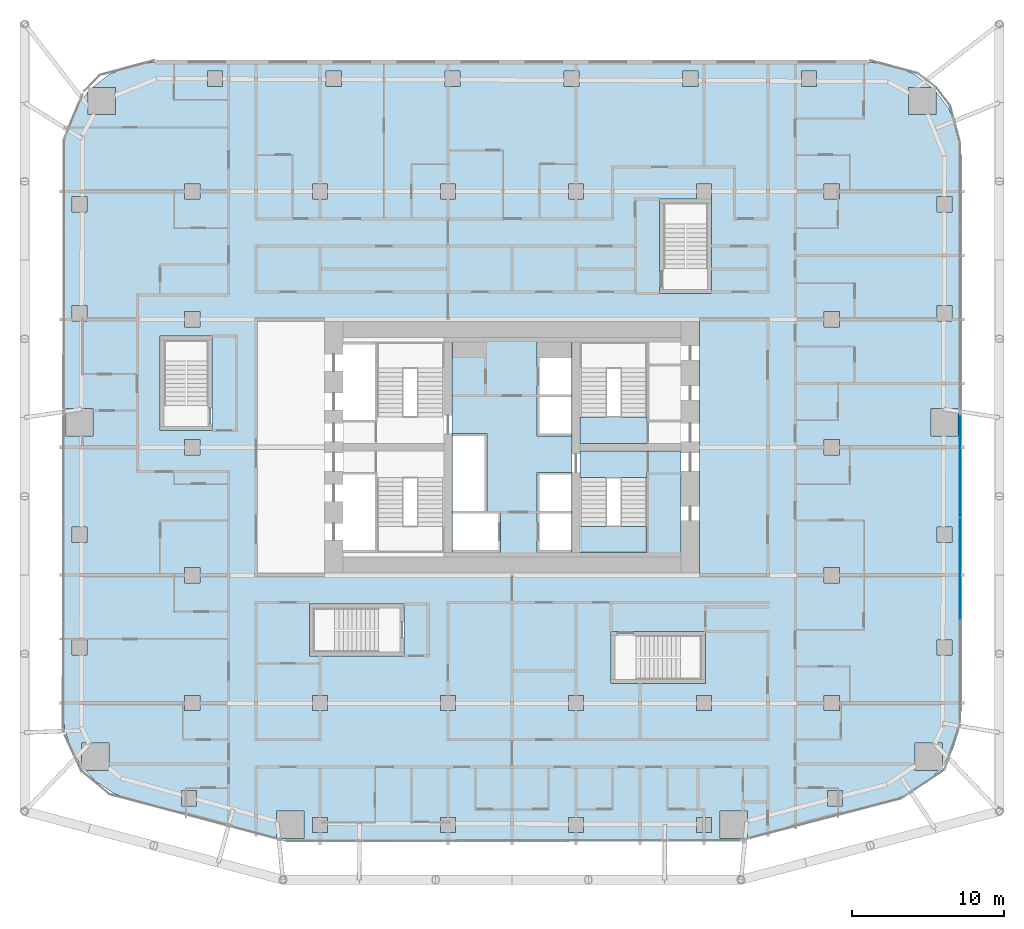
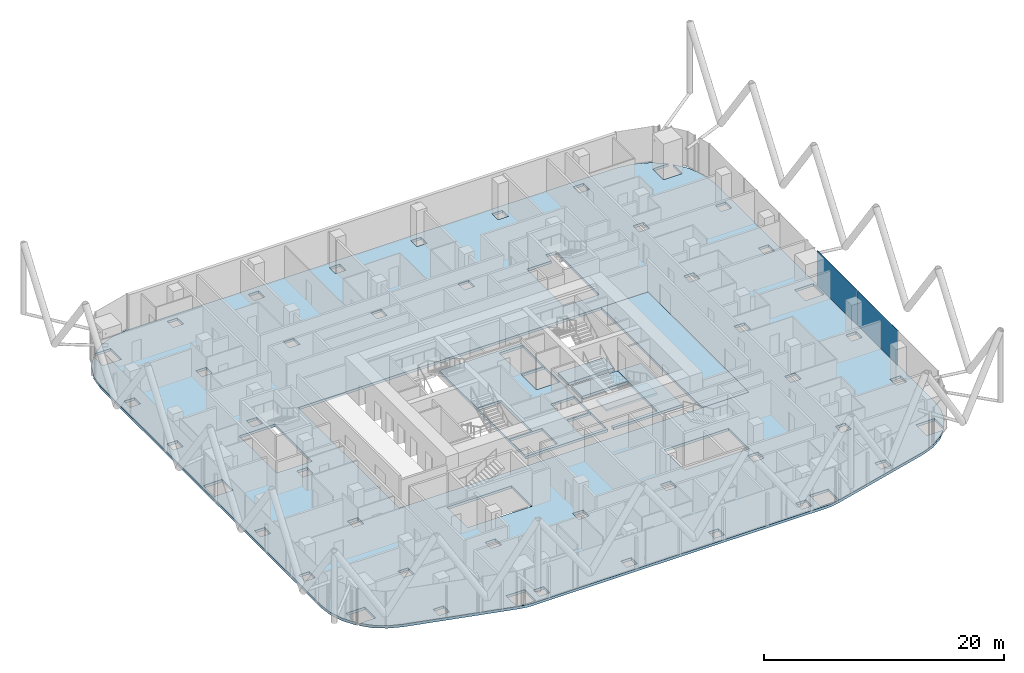
# One storey, part 23 of 38: 7 slabs, 2 plates, 2 elements without a shape of their own.
"""IFC4 building model written with IfcOpenShell, lengths in metres."""

import ifcopenshell
import ifcopenshell.guid

model = None  # the IFC model being written
_history = None  # IfcOwnerHistory: only IFC2X3 demands one
_inside = {}  # id of a spatial element -> (the spatial element, [elements in it])
_under = {}  # id of a project, library or spatial element -> (it, [spatial elements below it])
_declared = {}  # id of a project -> (the project, [libraries it declares])
_typed = {}  # id of a type object -> (the type object, [elements of that type])
_made_of = {}  # id of a material, layer set ... -> (it, [elements and type objects made of it])


def new_model(schema):
    """Start an empty IFC model of exactly this schema.

    Asked for "IFC4X3", IfcOpenShell would pick the latest addendum, in which some entities
    have other attributes; the version numbers below select the first issue.
    IFC2X3 requires an IfcOwnerHistory on every rooted entity: one is made here for all.
    """
    global model, _history
    if schema == "IFC4X3":
        model = ifcopenshell.file(schema_version=(4, 3, 0, 0))
    else:
        model = ifcopenshell.file(schema=schema)
    _inside.clear()
    _under.clear()
    _declared.clear()
    _typed.clear()
    _made_of.clear()
    _history = None
    if model.schema == "IFC2X3":
        org = make("IfcOrganization", Name="unknown")
        user = make(
            "IfcPersonAndOrganization",
            ThePerson=make("IfcPerson", FamilyName="unknown"),
            TheOrganization=org,
        )
        app = make(
            "IfcApplication",
            ApplicationDeveloper=org,
            Version="unknown",
            ApplicationFullName="unknown",
            ApplicationIdentifier="unknown",
        )
        _history = make(
            "IfcOwnerHistory",
            OwningUser=user,
            OwningApplication=app,
            ChangeAction="ADDED",
            CreationDate=0,
        )
    return model


def make(cls, **values):
    """One entity of the class cls with the attributes given. An attribute that is None is left unset."""
    return model.create_entity(
        cls, **{name: value for name, value in values.items() if value is not None}
    )


def rooted(cls, **values):
    """An entity with a GlobalId (a new one), such as an element, a storey or a relation."""
    return make(cls, GlobalId=ifcopenshell.guid.new(), OwnerHistory=_history, **values)


def si_unit(unit_type, name, prefix=None):
    """IfcSIUnit, for example si_unit("LENGTHUNIT", "METRE", prefix="MILLI")."""
    return make("IfcSIUnit", UnitType=unit_type, Prefix=prefix, Name=name)


def assignment(units):
    """IfcUnitAssignment: the units of a project."""
    return None if units is None else make("IfcUnitAssignment", Units=units)


def point(xyz):
    """IfcCartesianPoint."""
    return None if xyz is None else make("IfcCartesianPoint", Coordinates=xyz)


def direction(xyz):
    """IfcDirection."""
    return None if xyz is None else make("IfcDirection", DirectionRatios=xyz)


def frame(location, z_axis=None, x_axis=None):
    """IfcAxis2Placement3D, a coordinate frame: its origin and axes. An axis left out is left unset."""
    return make(
        "IfcAxis2Placement3D",
        Location=point(location),
        Axis=direction(z_axis),
        RefDirection=direction(x_axis),
    )


def frame_2d(location, x_axis=None):
    """IfcAxis2Placement2D, a coordinate frame in the plane: its origin and x axis."""
    return make(
        "IfcAxis2Placement2D", Location=point(location), RefDirection=direction(x_axis)
    )


def origin():
    """The frame at (0, 0, 0) with its axes left unset."""
    return frame((0.0, 0.0, 0.0))


def origin_2d():
    """The frame at (0, 0) in the plane with its x axis left unset."""
    return frame_2d((0.0, 0.0))


def place(relative_to, where):
    """IfcLocalPlacement: puts the frame where relative to a parent placement (None: the world)."""
    return make(
        "IfcLocalPlacement", PlacementRelTo=relative_to, RelativePlacement=where
    )


def context(
    kind, dimensions, precision=None, world=None, true_north=None, identifier=None
):
    """IfcGeometricRepresentationContext, for example the 3D "Model" context."""
    return make(
        "IfcGeometricRepresentationContext",
        ContextIdentifier=identifier,
        ContextType=kind,
        CoordinateSpaceDimension=dimensions,
        Precision=precision,
        WorldCoordinateSystem=world,
        TrueNorth=true_north,
    )


def subcontext(parent, identifier, kind, view, scale=None):
    """IfcGeometricRepresentationSubContext, for example "Body" below "Model"."""
    return make(
        "IfcGeometricRepresentationSubContext",
        ContextIdentifier=identifier,
        ContextType=kind,
        ParentContext=parent,
        TargetScale=scale,
        TargetView=view,
    )


def project(units=None, contexts=None):
    """IfcProject with its units and contexts."""
    return rooted(
        "IfcProject",
        Name="project",
        RepresentationContexts=contexts,
        UnitsInContext=assignment(units),
    )


def spatial(cls, under=None, at=None, **own):
    """A site, building, storey or space (cls), placed at a placement, below another one or the project."""
    s = rooted(cls, ObjectPlacement=at, **own)
    if under is not None:
        _under.setdefault(under.id(), (under, []))[1].append(s)
    return s


def polyline(points):
    """IfcPolyline through the points."""
    return make("IfcPolyline", Points=[point(p) for p in points])


def profile(cls, at=None, kind="AREA", **sizes):
    """A parametric profile (cls). Its sizes go by their IFC names, for example OverallWidth=200.0."""
    return make(cls, ProfileType=kind, Position=at, **sizes)


def rectangle(**sizes):
    """IfcRectangleProfileDef."""
    return profile("IfcRectangleProfileDef", **sizes)


def outline(outer, holes=None, kind="AREA"):
    """IfcArbitraryClosedProfileDef: a profile drawn as a closed curve; with holes, ...WithVoids."""
    if holes is None:
        return make("IfcArbitraryClosedProfileDef", ProfileType=kind, OuterCurve=outer)
    return make(
        "IfcArbitraryProfileDefWithVoids",
        ProfileType=kind,
        OuterCurve=outer,
        InnerCurves=holes,
    )


def extrude(swept, where, along, depth):
    """IfcExtrudedAreaSolid: the profile swept, set in the frame where, extruded along a direction by depth."""
    return make(
        "IfcExtrudedAreaSolid",
        SweptArea=swept,
        Position=where,
        ExtrudedDirection=direction(along),
        Depth=depth,
    )


def shape(context_of_items, identifier, shape_type, items):
    """IfcShapeRepresentation: the items that make up one representation, for example the "Body"."""
    return make(
        "IfcShapeRepresentation",
        ContextOfItems=context_of_items,
        RepresentationIdentifier=identifier,
        RepresentationType=shape_type,
        Items=items,
    )


def material(Name=None, Category=None):
    """IfcMaterial."""
    return make("IfcMaterial", Name=Name, Category=Category)


def layer(
    of_material, thickness, ventilated=None, Name=None, Category=None, Priority=None
):
    """IfcMaterialLayer: one layer of a wall or slab, of a material (None: an air gap)."""
    return make(
        "IfcMaterialLayer",
        Material=of_material,
        LayerThickness=thickness,
        IsVentilated=ventilated,
        Name=Name,
        Category=Category,
        Priority=Priority,
    )


def layer_set(layers, Name=None):
    """IfcMaterialLayerSet."""
    return make("IfcMaterialLayerSet", MaterialLayers=layers, LayerSetName=Name)


def made_of(thing, what):
    """Note that an element or type object is made of a material, layer set ...; save() writes the relation."""
    if what is not None:
        _made_of.setdefault(what.id(), (what, []))[1].append(thing)
    return thing


def type_object(cls, material=None, **own):
    """A type object (cls), such as IfcWallType, which elements share."""
    return made_of(rooted(cls, **own), material)


def element(
    cls,
    number,
    at=None,
    inside=None,
    cuts=None,
    type_object=None,
    material=None,
    context=None,
    identifier="Body",
    shape_type=None,
    held_by="IfcProductDefinitionShape",
    body=None,
    shapes=None,
    **own,
):
    """One element of the class cls, such as IfcWall. Its Tag is "e" and its number.

    at: its placement. inside: the storey or other place that contains it. cuts: it is an
    opening in that element (IfcRelVoidsElement). A single representation is given by context,
    identifier, shape_type and body (its items); several are given by shapes. held_by: the class
    of the entity that holds the representations. save() writes the other relations.
    """
    e = rooted(cls, Tag="e%d" % number, ObjectPlacement=at, **own)
    if body is not None:
        shapes = [shape(context, identifier, shape_type, body)]
    if shapes is not None:
        e.Representation = make(held_by, Representations=shapes)
    if inside is not None:
        _inside.setdefault(inside.id(), (inside, []))[1].append(e)
    if cuts is not None:
        rooted(
            "IfcRelVoidsElement", RelatingBuildingElement=cuts, RelatedOpeningElement=e
        )
    if type_object is not None:
        _typed.setdefault(type_object.id(), (type_object, []))[1].append(e)
    return made_of(e, material)


def aggregate(whole, parts):
    """IfcRelAggregates: a whole, such as a stair, and the parts it consists of."""
    return rooted("IfcRelAggregates", RelatingObject=whole, RelatedObjects=parts)


def save(model, path):
    """Write the relations noted so far, then the file.

    IfcRelAggregates (storeys below a building ...), IfcRelContainedInSpatialStructure (elements
    in a storey), IfcRelDefinesByType, IfcRelAssociatesMaterial and IfcRelDeclares: one each for
    every whole, place, type object, material and project.
    """
    for whole, parts in _under.values():
        aggregate(whole, parts)
    for where, things in _inside.values():
        rooted(
            "IfcRelContainedInSpatialStructure",
            RelatedElements=things,
            RelatingStructure=where,
        )
    for kind, things in _typed.values():
        rooted("IfcRelDefinesByType", RelatedObjects=things, RelatingType=kind)
    for what, things in _made_of.values():
        rooted("IfcRelAssociatesMaterial", RelatedObjects=things, RelatingMaterial=what)
    for by, libraries in _declared.values():
        rooted("IfcRelDeclares", RelatingContext=by, RelatedDefinitions=libraries)
    model.write(path)


model = new_model("IFC4")

# Units and contexts
model_context = context("Model", 3, precision=1e-05, world=origin(), true_north=direction((0.0, 1.0)))
body_context = subcontext(model_context, "Body", "Model", "MODEL_VIEW")
ifc_project = project(units=[si_unit("LENGTHUNIT", "METRE"), si_unit("AREAUNIT", "SQUARE_METRE"), si_unit("VOLUMEUNIT", "CUBIC_METRE"), si_unit("PLANEANGLEUNIT", "RADIAN"), si_unit("MASSUNIT", "GRAM", prefix="KILO")], contexts=[model_context])

# Site, building, storey
site_placement = place(None, origin())
site = spatial("IfcSite", under=ifc_project, at=site_placement, CompositionType="ELEMENT")
building_placement = place(site_placement, origin())
building = spatial("IfcBuilding", under=site, at=building_placement, Name="Marenta Gate Hotel Tower", CompositionType="ELEMENT")
storey_placement = place(building_placement, frame((0.0, 0.0, 68.89990234375)))
storey = spatial("IfcBuildingStorey", under=building, at=storey_placement, Name="L15", CompositionType="ELEMENT", Elevation=68.89990234375)

# Slabs
ifc_material_1 = material(Name="Concrete C35", Category="concrete")
ifc_layer_1 = layer(ifc_material_1, 0.260009765625)
ifc_layer_set_1 = layer_set([ifc_layer_1], Name="Concrete C35")
slab_type_1 = type_object("IfcSlabType", Name="Concrete floor slab 260", PredefinedType="FLOOR", material=ifc_layer_set_1)
slab_1_placement = place(storey_placement, frame((0.0, 0.0, -0.260009765625)))
element("IfcSlab", 1, at=slab_1_placement, inside=storey, type_object=slab_type_1, Name="L15-SL-1", PredefinedType="FLOOR", context=body_context, shape_type="SweptSolid", body=[
    extrude(outline(polyline([(-27.313720703125, -13.56396484375), (-28.015625, -12.8330078125), (-26.462890625, -12.8330078125), (-26.462890625, -11.032958984375), (-28.262939453125, -11.032958984375), (-28.262939453125, -12.55859375), (-28.927001953125, -11.467041015625), (-29.35546875, -10.20703125), (-29.5, -8.889892578125), (-29.5, 27.6064453125), (-29.29296875, 29.178955078125), (-28.68359375, 30.650390625), (-27.83544921875, 31.755615234375), (-27.83544921875, 30.235595703125), (-26.035400390625, 30.235595703125), (-26.035400390625, 32.035400390625), (-27.555419921875, 32.035400390625), (-26.450439453125, 32.883544921875), (-24.97900390625, 33.492919921875), (-23.406494140625, 33.699951171875), (23.406494140625, 33.699951171875), (24.97900390625, 33.492919921875), (26.450439453125, 32.883544921875), (27.555419921875, 32.035400390625), (26.035400390625, 32.035400390625), (26.035400390625, 30.235595703125), (27.83544921875, 30.235595703125), (27.83544921875, 31.755615234375), (28.68359375, 30.650390625), (29.29296875, 29.178955078125), (29.5, 27.6064453125), (29.5, -8.889892578125), (29.35546875, -10.20703125), (28.927001953125, -11.467041015625), (28.262939453125, -12.55859375), (28.262939453125, -11.032958984375), (26.462890625, -11.032958984375), (26.462890625, -12.8330078125), (28.015625, -12.8330078125), (27.313720703125, -13.56396484375), (26.205810546875, -14.30126953125), (24.969482421875, -14.77880859375), (15.2265625, -17.36376953125), (14.70849609375, -17.4658203125), (14.181640625, -17.5), (-14.181640625, -17.5), (-14.70849609375, -17.4658203125), (-15.2265625, -17.36376953125), (-24.969482421875, -14.77880859375), (-26.205810546875, -14.30126953125), (-27.313720703125, -13.56396484375)]), holes=[polyline([(-16.800048828125, 0.0), (16.800048828125, 0.0), (16.800048828125, 16.800048828125), (-16.800048828125, 16.800048828125), (-16.800048828125, 0.0)]), polyline([(-13.666259765625, -15.474853515625), (-15.46630859375, -15.474853515625), (-15.46630859375, -17.27490234375), (-13.666259765625, -17.27490234375), (-13.666259765625, -15.474853515625)]), polyline([(-20.706787109375, -14.13916015625), (-21.706787109375, -14.13916015625), (-21.706787109375, -15.13916015625), (-20.706787109375, -15.13916015625), (-20.706787109375, -14.13916015625)]), polyline([(-20.5, -8.89990234375), (-20.5, -7.89990234375), (-21.5, -7.89990234375), (-21.5, -8.89990234375), (-20.5, -8.89990234375)]), polyline([(-12.10009765625, -8.89990234375), (-12.10009765625, -7.89990234375), (-13.10009765625, -7.89990234375), (-13.10009765625, -8.89990234375), (-12.10009765625, -8.89990234375)]), polyline([(-27.89990234375, -4.251953125), (-28.89990234375, -4.251953125), (-28.89990234375, -5.251953125), (-27.89990234375, -5.251953125), (-27.89990234375, -4.251953125)]), polyline([(-20.5, -0.5), (-20.5, 0.5), (-21.5, 0.5), (-21.5, -0.5), (-20.5, -0.5)]), polyline([(-27.89990234375, 2.149169921875), (-27.89990234375, 3.149169921875), (-28.89990234375, 3.149169921875), (-28.89990234375, 2.149169921875), (-27.89990234375, 2.149169921875)]), polyline([(-20.5, 8.89990234375), (-21.5, 8.89990234375), (-21.5, 7.89990234375), (-20.5, 7.89990234375), (-20.5, 8.89990234375)]), polyline([(-27.5, 9.14990234375), (-27.5, 10.949951171875), (-29.300048828125, 10.949951171875), (-29.300048828125, 9.14990234375), (-27.5, 9.14990234375)]), polyline([(-20.5, 16.300048828125), (-20.5, 17.300048828125), (-21.5, 17.300048828125), (-21.5, 16.300048828125), (-20.5, 16.300048828125)]), polyline([(-27.89990234375, 17.703125), (-28.89990234375, 17.703125), (-28.89990234375, 16.703125), (-27.89990234375, 16.703125), (-27.89990234375, 17.703125)]), polyline([(-27.89990234375, 23.8564453125), (-27.89990234375, 24.8564453125), (-28.89990234375, 24.8564453125), (-28.89990234375, 23.8564453125), (-27.89990234375, 23.8564453125)]), polyline([(-20.5, 24.699951171875), (-20.5, 25.699951171875), (-21.5, 25.699951171875), (-21.5, 24.699951171875), (-20.5, 24.699951171875)]), polyline([(-19.0068359375, 32.10009765625), (-19.0068359375, 33.10009765625), (-20.0068359375, 33.10009765625), (-20.0068359375, 32.10009765625), (-19.0068359375, 32.10009765625)]), polyline([(-12.10009765625, -16.89990234375), (-12.10009765625, -15.89990234375), (-13.10009765625, -15.89990234375), (-13.10009765625, -16.89990234375), (-12.10009765625, -16.89990234375)]), polyline([(-3.699951171875, -15.89990234375), (-4.699951171875, -15.89990234375), (-4.699951171875, -16.89990234375), (-3.699951171875, -16.89990234375), (-3.699951171875, -15.89990234375)]), polyline([(4.699951171875, -16.89990234375), (4.699951171875, -15.89990234375), (3.699951171875, -15.89990234375), (3.699951171875, -16.89990234375), (4.699951171875, -16.89990234375)]), polyline([(13.10009765625, -16.89990234375), (13.10009765625, -15.89990234375), (12.10009765625, -15.89990234375), (12.10009765625, -16.89990234375), (13.10009765625, -16.89990234375)]), polyline([(15.46630859375, -15.474853515625), (13.666259765625, -15.474853515625), (13.666259765625, -17.27490234375), (15.46630859375, -17.27490234375), (15.46630859375, -15.474853515625)]), polyline([(-3.699951171875, -8.89990234375), (-3.699951171875, -7.89990234375), (-4.699951171875, -7.89990234375), (-4.699951171875, -8.89990234375), (-3.699951171875, -8.89990234375)]), polyline([(4.699951171875, -8.89990234375), (4.699951171875, -7.89990234375), (3.699951171875, -7.89990234375), (3.699951171875, -8.89990234375), (4.699951171875, -8.89990234375)]), polyline([(13.10009765625, -7.89990234375), (12.10009765625, -7.89990234375), (12.10009765625, -8.89990234375), (13.10009765625, -8.89990234375), (13.10009765625, -7.89990234375)]), polyline([(-12.10009765625, 25.699951171875), (-13.10009765625, 25.699951171875), (-13.10009765625, 24.699951171875), (-12.10009765625, 24.699951171875), (-12.10009765625, 25.699951171875)]), polyline([(-3.699951171875, 25.699951171875), (-4.699951171875, 25.699951171875), (-4.699951171875, 24.699951171875), (-3.699951171875, 24.699951171875), (-3.699951171875, 25.699951171875)]), polyline([(4.699951171875, 24.699951171875), (4.699951171875, 25.699951171875), (3.699951171875, 25.699951171875), (3.699951171875, 24.699951171875), (4.699951171875, 24.699951171875)]), polyline([(13.10009765625, 25.699951171875), (12.10009765625, 25.699951171875), (12.10009765625, 24.699951171875), (9.699951171875, 24.699951171875), (9.699951171875, 18.5), (13.10009765625, 18.5), (13.10009765625, 25.699951171875)]), polyline([(-11.2041015625, 33.10009765625), (-12.2041015625, 33.10009765625), (-12.2041015625, 32.10009765625), (-11.2041015625, 32.10009765625), (-11.2041015625, 33.10009765625)]), polyline([(-3.4013671875, 32.10009765625), (-3.4013671875, 33.10009765625), (-4.4013671875, 33.10009765625), (-4.4013671875, 32.10009765625), (-3.4013671875, 32.10009765625)]), polyline([(4.4013671875, 32.10009765625), (4.4013671875, 33.10009765625), (3.4013671875, 33.10009765625), (3.4013671875, 32.10009765625), (4.4013671875, 32.10009765625)]), polyline([(12.2041015625, 33.10009765625), (11.2041015625, 33.10009765625), (11.2041015625, 32.10009765625), (12.2041015625, 32.10009765625), (12.2041015625, 33.10009765625)]), polyline([(21.706787109375, -15.13916015625), (21.706787109375, -14.13916015625), (20.706787109375, -14.13916015625), (20.706787109375, -15.13916015625), (21.706787109375, -15.13916015625)]), polyline([(21.5, -7.89990234375), (20.5, -7.89990234375), (20.5, -8.89990234375), (21.5, -8.89990234375), (21.5, -7.89990234375)]), polyline([(28.89990234375, -5.251953125), (28.89990234375, -4.251953125), (27.89990234375, -4.251953125), (27.89990234375, -5.251953125), (28.89990234375, -5.251953125)]), polyline([(21.5, -0.5), (21.5, 0.5), (20.5, 0.5), (20.5, -0.5), (21.5, -0.5)]), polyline([(28.89990234375, 3.149169921875), (27.89990234375, 3.149169921875), (27.89990234375, 2.149169921875), (28.89990234375, 2.149169921875), (28.89990234375, 3.149169921875)]), polyline([(21.5, 7.89990234375), (21.5, 8.89990234375), (20.5, 8.89990234375), (20.5, 7.89990234375), (21.5, 7.89990234375)]), polyline([(29.300048828125, 9.14990234375), (29.300048828125, 10.949951171875), (27.5, 10.949951171875), (27.5, 9.14990234375), (29.300048828125, 9.14990234375)]), polyline([(21.5, 17.300048828125), (20.5, 17.300048828125), (20.5, 16.300048828125), (21.5, 16.300048828125), (21.5, 17.300048828125)]), polyline([(28.89990234375, 16.703125), (28.89990234375, 17.703125), (27.89990234375, 17.703125), (27.89990234375, 16.703125), (28.89990234375, 16.703125)]), polyline([(28.89990234375, 23.8564453125), (28.89990234375, 24.8564453125), (27.89990234375, 24.8564453125), (27.89990234375, 23.8564453125), (28.89990234375, 23.8564453125)]), polyline([(21.5, 25.699951171875), (20.5, 25.699951171875), (20.5, 24.699951171875), (21.5, 24.699951171875), (21.5, 25.699951171875)]), polyline([(20.0068359375, 32.10009765625), (20.0068359375, 33.10009765625), (19.0068359375, 33.10009765625), (19.0068359375, 32.10009765625), (20.0068359375, 32.10009765625)]), polyline([(6.5, -7.10009765625), (12.699951171875, -7.10009765625), (12.699951171875, -3.699951171875), (6.5, -3.699951171875), (6.5, -7.10009765625)]), polyline([(-13.300048828125, -5.300048828125), (-7.10009765625, -5.300048828125), (-7.10009765625, -1.89990234375), (-13.300048828125, -1.89990234375), (-13.300048828125, -5.300048828125)]), polyline([(-23.10009765625, 9.5), (-19.699951171875, 9.5), (-19.699951171875, 15.699951171875), (-23.10009765625, 15.699951171875), (-23.10009765625, 9.5)])]), origin(), (0.0, 0.0, 1.0), 0.260009765625),
])
ifc_material_2 = material(Name="Concrete C40", Category="concrete")
ifc_layer_2 = layer(ifc_material_2, 0.260009765625)
ifc_layer_set_2 = layer_set([ifc_layer_2], Name="Concrete C40")
slab_type_2 = type_object("IfcSlabType", Name="Core floor slab 260", PredefinedType="FLOOR", material=ifc_layer_set_2)
slab_2_placement = place(storey_placement, frame((0.0, 0.0, -0.260009765625)))
element("IfcSlab", 2, at=slab_2_placement, inside=storey, type_object=slab_type_2, Name="L15-CF-1", PredefinedType="FLOOR", context=body_context, shape_type="SweptSolid", body=[
    extrude(outline(polyline([(12.300048828125, 0.0), (12.300048828125, 16.800048828125), (16.800048828125, 16.800048828125), (16.800048828125, 0.0), (12.300048828125, 0.0)])), origin(), (0.0, 0.0, 1.0), 0.260009765625),
])
slab_3_placement = place(storey_placement, frame((0.0, 0.0, -0.260009765625)))
element("IfcSlab", 3, at=slab_3_placement, inside=storey, type_object=slab_type_2, Name="L15-CF-2", PredefinedType="FLOOR", context=body_context, shape_type="SweptSolid", body=[
    extrude(outline(polyline([(8.85009765625, 1.5), (8.85009765625, 6.39990234375), (8.85009765625, 8.10009765625), (8.85009765625, 8.14990234375), (11.10009765625, 8.14990234375), (11.10009765625, 1.199951171875), (4.449951171875, 1.199951171875), (4.449951171875, 1.5), (8.85009765625, 1.5)])), origin(), (0.0, 0.0, 1.0), 0.260009765625),
])
slab_4_placement = place(storey_placement, frame((0.0, 0.0, -0.260009765625)))
element("IfcSlab", 4, at=slab_4_placement, inside=storey, type_object=slab_type_2, Name="L15-CF-4", PredefinedType="FLOOR", context=body_context, shape_type="SweptSolid", body=[
    extrude(outline(polyline([(3.949951171875, 15.300048828125), (3.949951171875, 10.39990234375), (3.949951171875, 6.39990234375), (3.949951171875, 1.5), (3.949951171875, 1.199951171875), (-3.949951171875, 1.199951171875), (-3.949951171875, 1.5), (-3.949951171875, 6.39990234375), (-3.949951171875, 10.39990234375), (-3.949951171875, 15.300048828125), (-3.949951171875, 15.60009765625), (3.949951171875, 15.60009765625), (3.949951171875, 15.300048828125)]), holes=[polyline([(1.64990234375, 4.050048828125), (1.64990234375, 1.64990234375), (1.64990234375, 1.5), (3.89990234375, 1.5), (3.89990234375, 1.64990234375), (3.89990234375, 4.050048828125), (1.800048828125, 4.050048828125), (1.64990234375, 4.050048828125)]), polyline([(1.64990234375, 9.14990234375), (3.89990234375, 9.14990234375), (3.89990234375, 9.300048828125), (3.89990234375, 11.699951171875), (1.800048828125, 11.699951171875), (1.64990234375, 11.699951171875), (1.64990234375, 9.300048828125), (1.64990234375, 9.14990234375)]), polyline([(1.64990234375, 11.85009765625), (1.800048828125, 11.85009765625), (3.89990234375, 11.85009765625), (3.89990234375, 14.25), (3.89990234375, 15.300048828125), (1.64990234375, 15.300048828125), (1.64990234375, 14.25), (1.64990234375, 11.85009765625)]), polyline([(3.89990234375, 6.60009765625), (3.89990234375, 6.75), (1.64990234375, 6.75), (1.64990234375, 6.60009765625), (1.64990234375, 4.199951171875), (1.800048828125, 4.199951171875), (3.89990234375, 4.199951171875), (3.89990234375, 6.60009765625)]), polyline([(-3.89990234375, 1.5), (-0.89990234375, 1.5), (-0.75, 1.5), (-0.75, 4.050048828125), (-0.89990234375, 4.050048828125), (-3.89990234375, 4.050048828125), (-3.89990234375, 1.64990234375), (-3.89990234375, 1.5)]), polyline([(-1.64990234375, 4.199951171875), (-1.64990234375, 9.14990234375), (-1.64990234375, 9.300048828125), (-3.89990234375, 9.300048828125), (-3.89990234375, 9.14990234375), (-3.89990234375, 6.75), (-3.89990234375, 6.60009765625), (-3.89990234375, 4.199951171875), (-1.800048828125, 4.199951171875), (-1.64990234375, 4.199951171875)])]), origin(), (0.0, 0.0, 1.0), 0.260009765625),
])

# Stair, slab
ifc_material_3 = material(Name="Concrete C40", Category="concrete")
stair_type = type_object("IfcStairType", Name="Core exit stair 1700 wide", PredefinedType="HALF_TURN_STAIR", material=ifc_material_3)
stair_placement = place(storey_placement, origin())
stair = element("IfcStair", 5, at=stair_placement, inside=storey, type_object=stair_type, Name="Exit stair 3", PredefinedType="HALF_TURN_STAIR")
ifc_material_4 = material(Name="Concrete C40", Category="concrete")
ifc_layer_3 = layer(ifc_material_4, 0.199951171875)
ifc_layer_set_3 = layer_set([ifc_layer_3], Name="Concrete C40")
slab_type_3 = type_object("IfcSlabType", Name="Core stair landing 200", PredefinedType="LANDING", material=ifc_layer_set_3)
slab_5_placement = place(storey_placement, frame((0.0, 0.0, 1.60009765625)))
slab_5 = element("IfcSlab", 6, at=slab_5_placement, type_object=slab_type_3, Name="SL-200 ST3 landing 1", PredefinedType="LANDING", context=body_context, shape_type="SweptSolid", body=[
    extrude(outline(polyline([(3.949951171875, 1.5), (8.85009765625, 1.5), (8.85009765625, 3.2099609375), (3.949951171875, 3.2099609375), (3.949951171875, 1.5)])), origin(), (0.0, 0.0, 1.0), 0.199951171875),
])
aggregate(stair, [slab_5])

# Curtain wall, plates
ifc_material_5 = material(Name="Tinted insulated glass in bronze anodised frame", Category="glass")
ifc_layer_4 = layer(ifc_material_5, 0.1201171875)
ifc_layer_set_4 = layer_set([ifc_layer_4], Name="Tinted insulated glass in bronze anodised frame")
curtain_wall_type = type_object("IfcCurtainWallType", Name="Tower unitised curtain wall CW1", PredefinedType="NOTDEFINED", material=ifc_layer_set_4)
curtain_wall_placement = place(storey_placement, origin())
curtain_wall = element("IfcCurtainWall", 7, at=curtain_wall_placement, inside=storey, type_object=curtain_wall_type, Name="CW1 run G32", PredefinedType="NOTDEFINED")
ifc_material_6 = material(Name="Tinted insulated glass", Category="glass")
ifc_layer_5 = layer(ifc_material_6, 0.028076171875)
ifc_layer_set_5 = layer_set([ifc_layer_5], Name="Tinted insulated glass")
plate_type = type_object("IfcPlateType", Name="Glass panel CW1 28 mm tinted insulated unit", PredefinedType="CURTAIN_PANEL", material=ifc_layer_set_5)
plate_1_placement = place(storey_placement, frame((29.4140625, 0.421142578125, 0.06005859375), z_axis=(0.0, 0.0, 1.0), x_axis=(0.0, 1.0, 0.0)))
plate_1 = element("IfcPlate", 8, at=plate_1_placement, type_object=plate_type, Name="CW1 panel 2.1", PredefinedType="CURTAIN_PANEL", context=body_context, shape_type="SweptSolid", body=[
    extrude(rectangle(XDim=6.670654296875, YDim=0.028076171875, at=origin_2d()), origin(), (0.0, 0.0, 1.0), 3.5400390625),
])
plate_2_placement = place(storey_placement, frame((29.4140625, 7.166748046875, 0.06005859375), z_axis=(0.0, 0.0, 1.0), x_axis=(0.0, 1.0, 0.0)))
plate_2 = element("IfcPlate", 9, at=plate_2_placement, type_object=plate_type, Name="CW1 panel 3.1", PredefinedType="CURTAIN_PANEL", context=body_context, shape_type="SweptSolid", body=[
    extrude(rectangle(XDim=6.70068359375, YDim=0.028076171875, at=origin_2d()), origin(), (0.0, 0.0, 1.0), 3.5400390625),
])
aggregate(curtain_wall, [plate_1, plate_2])

# Slabs
ifc_material_7 = material(Name="Concrete C40", Category="concrete")
ifc_layer_6 = layer(ifc_material_7, 0.300048828125)
ifc_layer_set_6 = layer_set([ifc_layer_6], Name="Concrete C40")
slab_type_4 = type_object("IfcSlabType", Name="Stair floor landing slab 300", PredefinedType="FLOOR", material=ifc_layer_set_6)
slab_6_placement = place(storey_placement, frame((0.0, 0.0, -0.2998046875)))
element("IfcSlab", 10, at=slab_6_placement, inside=storey, type_object=slab_type_4, Name="L15-CL-ST3-1", PredefinedType="FLOOR", context=body_context, shape_type="SweptSolid", body=[
    extrude(outline(polyline([(4.449951171875, 6.39990234375), (4.449951171875, 8.14990234375), (8.85009765625, 8.14990234375), (8.85009765625, 8.10009765625), (8.85009765625, 6.39990234375), (4.449951171875, 6.39990234375)])), origin(), (0.0, 0.0, 1.0), 0.2998046875),
])
slab_7_placement = place(storey_placement, frame((0.0, 0.0, -0.2998046875)))
element("IfcSlab", 11, at=slab_7_placement, inside=storey, type_object=slab_type_4, Name="L15-CL-ST4-1", PredefinedType="FLOOR", context=body_context, shape_type="SweptSolid", body=[
    extrude(outline(polyline([(4.449951171875, 8.64990234375), (4.449951171875, 10.39990234375), (8.85009765625, 10.39990234375), (8.85009765625, 8.699951171875), (8.85009765625, 8.64990234375), (4.449951171875, 8.64990234375)])), origin(), (0.0, 0.0, 1.0), 0.2998046875),
])

save(model, "model.ifc")
